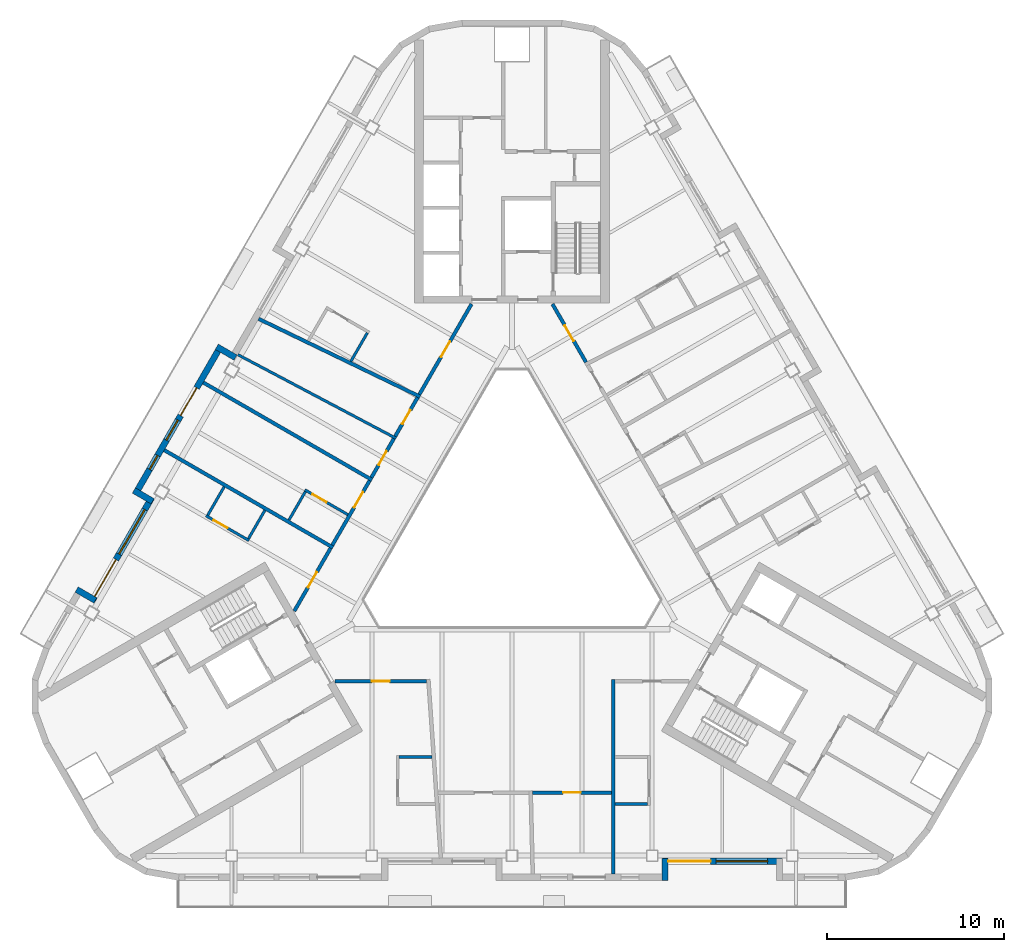
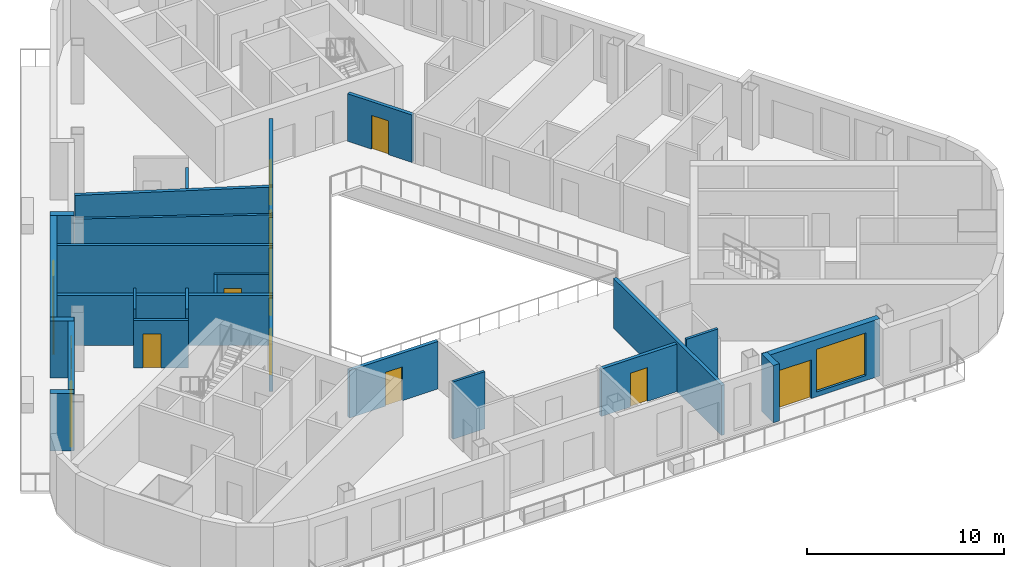
# One storey, part 4 of 14: 28 walls, 13 doors, 4 windows, 17 openings.
"""IFC4 building model written with IfcOpenShell, lengths in metres."""

from ifc_helpers import new_model, si_unit, direction, frame, frame_2d, origin, place, context, subcontext, project, spatial, rectangle, extrude, material, layer, layer_set, type_object, element, fill, save


model = new_model("IFC4")

# Units and contexts
model_context = context("Model", 3, precision=1e-05, world=origin(), true_north=direction((0.0, 1.0)))
body_context = subcontext(model_context, "Body", "Model", "MODEL_VIEW")
ifc_project = project(units=[si_unit("LENGTHUNIT", "METRE"), si_unit("AREAUNIT", "SQUARE_METRE"), si_unit("VOLUMEUNIT", "CUBIC_METRE"), si_unit("PLANEANGLEUNIT", "RADIAN"), si_unit("MASSUNIT", "GRAM", prefix="KILO")], contexts=[model_context])

# Site, building, storey
site_placement = place(None, origin())
site = spatial("IfcSite", under=ifc_project, at=site_placement, CompositionType="ELEMENT")
building_placement = place(site_placement, origin())
building = spatial("IfcBuilding", under=site, at=building_placement, Name="Apuvela Tower Hotel", CompositionType="ELEMENT")
storey_placement = place(building_placement, frame((0.0, 0.0, 250.39990234375)))
storey = spatial("IfcBuildingStorey", under=building, at=storey_placement, Name="L61", CompositionType="ELEMENT", Elevation=250.39990234375)

# Wall
ifc_material_1 = material(Name="Concrete C40/50, dark pigmented precast panel", Category="concrete")
ifc_layer_1 = layer(ifc_material_1, 0.35009765625)
ifc_layer_set_1 = layer_set([ifc_layer_1], Name="ENV-WALL-350")
wall_type_1 = type_object("IfcWallType", Name="ENV-WALL-350", PredefinedType="SOLIDWALL", material=ifc_layer_set_1)
wall_1_placement = place(storey_placement, frame((-15.580810546875, 9.8330078125, 0.0), z_axis=(0.0, 0.0, 1.0), x_axis=(-0.866055662726, 0.499947586314, 0.0)))
element("IfcWall", 1, at=wall_1_placement, inside=storey, type_object=wall_type_1, Name="External wall L61-04", PredefinedType="SOLIDWALL", context=body_context, shape_type="SweptSolid", body=[
    extrude(rectangle(XDim=1.220458984375, YDim=0.35009765625, at=frame_2d((0.6103515625, 0.0))), origin(), (0.0, 0.0, 1.0), 3.550048828125),
])

# Wall, openings, door, windows
wall_2_placement = place(storey_placement, frame((-16.3984375, 10.507080078125, 0.0), z_axis=(0.0, 0.0, 1.0), x_axis=(-0.499999142773, -0.866025898704, 0.0)))
wall_2 = element("IfcWall", 2, at=wall_2_placement, inside=storey, type_object=wall_type_1, Name="External wall L61-05", PredefinedType="SOLIDWALL", context=body_context, shape_type="SweptSolid", body=[
    extrude(rectangle(XDim=9.7001953125, YDim=0.35009765625, at=frame_2d((4.85009765625, 0.0))), origin(), (0.0, 0.0, 1.0), 3.550048828125),
])
opening_1_placement = place(wall_2_placement, frame((2.75048828125, 0.0, 0.0)))
opening_1 = element("IfcOpeningElement", 3, at=opening_1_placement, cuts=wall_2, Name="Opening BD18", PredefinedType="OPENING", context=body_context, shape_type="SweptSolid", body=[
    extrude(rectangle(XDim=1.800048828125, YDim=2.39990234375, at=frame_2d((0.89990234375, 1.199951171875))), frame((0.0, 0.18505859375, 0.0), z_axis=(0.0, -1.0, 0.0), x_axis=(1.0, 0.0, 0.0)), (0.0, 0.0, 1.0), 0.3701171875),
])
opening_2_placement = place(wall_2_placement, frame((4.850341796875, 0.0, 0.300048828125)))
opening_2 = element("IfcOpeningElement", 4, at=opening_2_placement, cuts=wall_2, Name="Opening WN13", PredefinedType="OPENING", context=body_context, shape_type="SweptSolid", body=[
    extrude(rectangle(XDim=1.300048828125, YDim=2.64990234375, at=frame_2d((0.64990234375, 1.324951171875))), frame((0.0, 0.18505859375, 0.0), z_axis=(0.0, -1.0, 0.0), x_axis=(1.0, 0.0, 0.0)), (0.0, 0.0, 1.0), 0.3701171875),
])
opening_3_placement = place(wall_2_placement, frame((7.14990234375, 0.0, 0.300048828125)))
opening_3 = element("IfcOpeningElement", 5, at=opening_3_placement, cuts=wall_2, Name="Opening WN09", PredefinedType="OPENING", context=body_context, shape_type="SweptSolid", body=[
    extrude(rectangle(XDim=0.89990234375, YDim=2.64990234375, at=frame_2d((0.449951171875, 1.324951171875))), frame((0.0, 0.18505859375, 0.0), z_axis=(0.0, -1.0, 0.0), x_axis=(1.0, 0.0, 0.0)), (0.0, 0.0, 1.0), 0.3701171875),
])
ifc_material_2 = material(Name="Aluminium 6063-T6, dark bronze anodised frame with dark tinted laminated glass", Category="aluminium")
door_type_1 = type_object("IfcDoorType", Name="ENV-DOOR-BALCONY-1800x2400", OperationType="SLIDING_TO_LEFT", PredefinedType="DOOR", material=ifc_material_2)
door_1_placement = place(opening_1_placement, frame((1.800048828125, 0.0, 0.0), z_axis=(0.0, 0.0, 1.0), x_axis=(-1.0, 0.0, 0.0)))
door_1 = element("IfcDoor", 6, at=door_1_placement, inside=storey, type_object=door_type_1, Name="Balcony door BD18", OperationType="SLIDING_TO_LEFT", OverallHeight=2.39990234375, OverallWidth=1.800048828125, PredefinedType="DOOR", context=body_context, shape_type="SweptSolid", body=[
    extrude(rectangle(XDim=1.800048828125, YDim=2.39990234375, at=frame_2d((0.89990234375, 1.199951171875))), frame((0.0, 0.02490234375, 0.0), z_axis=(0.0, -1.0, 0.0), x_axis=(1.0, 0.0, 0.0)), (0.0, 0.0, 1.0), 0.050048828125),
])
fill(opening_1, door_1)
ifc_material_3 = material(Name="Glass, dark tinted laminated insulated glazing unit", Category="glass")
window_type_1 = type_object("IfcWindowType", Name="ENV-WIN-1300x2650", PartitioningType="SINGLE_PANEL", PredefinedType="WINDOW", material=ifc_material_3)
window_1_placement = place(opening_2_placement, origin())
window_1 = element("IfcWindow", 7, at=window_1_placement, inside=storey, type_object=window_type_1, Name="Window WN13", OverallHeight=2.64990234375, OverallWidth=1.300048828125, PartitioningType="SINGLE_PANEL", PredefinedType="WINDOW", context=body_context, shape_type="SweptSolid", body=[
    extrude(rectangle(XDim=1.300048828125, YDim=2.64990234375, at=frame_2d((0.64990234375, 1.324951171875))), frame((0.0, 0.030029296875, 0.0), z_axis=(0.0, -1.0, 0.0), x_axis=(1.0, 0.0, 0.0)), (0.0, 0.0, 1.0), 0.06005859375),
])
fill(opening_2, window_1)
window_type_2 = type_object("IfcWindowType", Name="ENV-WIN-900x2650", PartitioningType="SINGLE_PANEL", PredefinedType="WINDOW", material=ifc_material_3)
window_2_placement = place(opening_3_placement, origin())
window_2 = element("IfcWindow", 8, at=window_2_placement, inside=storey, type_object=window_type_2, Name="Window WN09", OverallHeight=2.64990234375, OverallWidth=0.89990234375, PartitioningType="SINGLE_PANEL", PredefinedType="WINDOW", context=body_context, shape_type="SweptSolid", body=[
    extrude(rectangle(XDim=0.89990234375, YDim=2.64990234375, at=frame_2d((0.449951171875, 1.324951171875))), frame((0.0, 0.030029296875, 0.0), z_axis=(0.0, -1.0, 0.0), x_axis=(1.0, 0.0, 0.0)), (0.0, 0.0, 1.0), 0.06005859375),
])
fill(opening_3, window_2)

# Wall
wall_3_placement = place(storey_placement, frame((-21.3125, 2.345703125, 0.0), z_axis=(0.0, 0.0, 1.0), x_axis=(0.866005645448, -0.500034220881, 0.0)))
element("IfcWall", 9, at=wall_3_placement, inside=storey, type_object=wall_type_1, Name="External wall L61-06", PredefinedType="SOLIDWALL", context=body_context, shape_type="SweptSolid", body=[
    extrude(rectangle(XDim=1.22021484375, YDim=0.35009765625, at=frame_2d((0.610107421875, 0.0))), origin(), (0.0, 0.0, 1.0), 3.550048828125),
])

# Wall, openings, door, window
wall_4_placement = place(storey_placement, frame((-20.30908203125, 1.93359375, 0.0), z_axis=(0.0, 0.0, 1.0), x_axis=(-0.499992114976, -0.866029956157, 0.0)))
wall_4 = element("IfcWall", 10, at=wall_4_placement, inside=storey, type_object=wall_type_1, Name="External wall L61-07", PredefinedType="SOLIDWALL", context=body_context, shape_type="SweptSolid", body=[
    extrude(rectangle(XDim=6.73974609375, YDim=0.35009765625, at=frame_2d((3.369873046875, 0.0))), origin(), (0.0, 0.0, 1.0), 3.550048828125),
])
opening_4_placement = place(wall_4_placement, frame((4.02001953125, 0.0, 0.0)))
opening_4 = element("IfcOpeningElement", 11, at=opening_4_placement, cuts=wall_4, Name="Opening BD24", PredefinedType="OPENING", context=body_context, shape_type="SweptSolid", body=[
    extrude(rectangle(XDim=2.39990234375, YDim=2.39990234375, at=frame_2d((1.199951171875, 1.199951171875))), frame((0.0, 0.18505859375, 0.0), z_axis=(0.0, -1.0, 0.0), x_axis=(1.0, 0.0, 0.0)), (0.0, 0.0, 1.0), 0.3701171875),
])
opening_5_placement = place(wall_4_placement, frame((0.77001953125, 0.0, 0.300048828125)))
opening_5 = element("IfcOpeningElement", 12, at=opening_5_placement, cuts=wall_4, Name="Opening WN29", PredefinedType="OPENING", context=body_context, shape_type="SweptSolid", body=[
    extrude(rectangle(XDim=2.89990234375, YDim=2.64990234375, at=frame_2d((1.449951171875, 1.324951171875))), frame((0.0, 0.18505859375, 0.0), z_axis=(0.0, -1.0, 0.0), x_axis=(1.0, 0.0, 0.0)), (0.0, 0.0, 1.0), 0.3701171875),
])
door_type_2 = type_object("IfcDoorType", Name="ENV-DOOR-BALCONY-2400x2400", OperationType="SLIDING_TO_LEFT", PredefinedType="DOOR", material=ifc_material_2)
door_2_placement = place(opening_4_placement, frame((2.39990234375, 0.0, 0.0), z_axis=(0.0, 0.0, 1.0), x_axis=(-1.0, 0.0, 0.0)))
door_2 = element("IfcDoor", 13, at=door_2_placement, inside=storey, type_object=door_type_2, Name="Balcony door BD24", OperationType="SLIDING_TO_LEFT", OverallHeight=2.39990234375, OverallWidth=2.39990234375, PredefinedType="DOOR", context=body_context, shape_type="SweptSolid", body=[
    extrude(rectangle(XDim=2.39990234375, YDim=2.39990234375, at=frame_2d((1.199951171875, 1.199951171875))), frame((0.0, 0.02490234375, 0.0), z_axis=(0.0, -1.0, 0.0), x_axis=(1.0, 0.0, 0.0)), (0.0, 0.0, 1.0), 0.050048828125),
])
fill(opening_4, door_2)
window_type_3 = type_object("IfcWindowType", Name="ENV-WIN-2900x2650", PartitioningType="SINGLE_PANEL", PredefinedType="WINDOW", material=ifc_material_3)
window_3_placement = place(opening_5_placement, origin())
window_3 = element("IfcWindow", 14, at=window_3_placement, inside=storey, type_object=window_type_3, Name="Window WN29", OverallHeight=2.64990234375, OverallWidth=2.89990234375, PartitioningType="SINGLE_PANEL", PredefinedType="WINDOW", context=body_context, shape_type="SweptSolid", body=[
    extrude(rectangle(XDim=2.89990234375, YDim=2.64990234375, at=frame_2d((1.449951171875, 1.324951171875))), frame((0.0, 0.030029296875, 0.0), z_axis=(0.0, -1.0, 0.0), x_axis=(1.0, 0.0, 0.0)), (0.0, 0.0, 1.0), 0.06005859375),
])
fill(opening_5, window_3)

# Walls
for number, where, z_axis, x_axis, name in (
    (15, (-23.48095703125, -3.85009765625, 0.0), (0.0, 0.0, 1.0), (-0.866092288191, 0.499884134912, 0.0), "External wall L61-08"),
    (16, (8.625, -19.6298828125, 0.0), (0.0, 0.0, 1.0), (0.0, 1.0, 0.0), "External wall L61-22"),
):
    element("IfcWall", number, at=place(storey_placement, frame(where, z_axis=z_axis, x_axis=x_axis)), inside=storey, type_object=wall_type_1, Name=name, PredefinedType="SOLIDWALL", context=body_context, shape_type="SweptSolid", body=[
        extrude(rectangle(XDim=1.219970703125, YDim=0.35009765625, at=frame_2d((0.60986328125, 0.0))), origin(), (0.0, 0.0, 1.0), 3.550048828125),
    ])

# Wall, openings, door, window
wall_5_placement = place(storey_placement, frame((8.47998046875, -18.554931640625, 0.0), z_axis=(0.0, 0.0, 1.0), x_axis=(1.0, 0.0, 0.0)))
wall_5 = element("IfcWall", 17, at=wall_5_placement, inside=storey, type_object=wall_type_1, Name="External wall L61-23", PredefinedType="SOLIDWALL", context=body_context, shape_type="SweptSolid", body=[
    extrude(rectangle(XDim=6.739990234375, YDim=0.35009765625, at=frame_2d((3.3701171875, 0.0))), origin(), (0.0, 0.0, 1.0), 3.550048828125),
])
opening_6_placement = place(wall_5_placement, frame((0.3203125, 0.0, 0.0)))
opening_6 = element("IfcOpeningElement", 18, at=opening_6_placement, cuts=wall_5, Name="Opening BD24", PredefinedType="OPENING", context=body_context, shape_type="SweptSolid", body=[
    extrude(rectangle(XDim=2.39990234375, YDim=2.39990234375, at=frame_2d((1.199951171875, 1.199951171875))), frame((0.0, 0.18505859375, 0.0), z_axis=(0.0, -1.0, 0.0), x_axis=(1.0, 0.0, 0.0)), (0.0, 0.0, 1.0), 0.3701171875),
])
opening_7_placement = place(wall_5_placement, frame((3.020263671875, 0.0, 0.300048828125)))
opening_7 = element("IfcOpeningElement", 19, at=opening_7_placement, cuts=wall_5, Name="Opening WN29", PredefinedType="OPENING", context=body_context, shape_type="SweptSolid", body=[
    extrude(rectangle(XDim=2.89990234375, YDim=2.64990234375, at=frame_2d((1.449951171875, 1.324951171875))), frame((0.0, 0.18505859375, 0.0), z_axis=(0.0, -1.0, 0.0), x_axis=(1.0, 0.0, 0.0)), (0.0, 0.0, 1.0), 0.3701171875),
])
door_3_placement = place(opening_6_placement, frame((2.39990234375, 0.0, 0.0), z_axis=(0.0, 0.0, 1.0), x_axis=(-1.0, 0.0, 0.0)))
door_3 = element("IfcDoor", 20, at=door_3_placement, inside=storey, type_object=door_type_2, Name="Balcony door BD24", OperationType="SLIDING_TO_LEFT", OverallHeight=2.39990234375, OverallWidth=2.39990234375, PredefinedType="DOOR", context=body_context, shape_type="SweptSolid", body=[
    extrude(rectangle(XDim=2.39990234375, YDim=2.39990234375, at=frame_2d((1.199951171875, 1.199951171875))), frame((0.0, 0.02490234375, 0.0), z_axis=(0.0, -1.0, 0.0), x_axis=(1.0, 0.0, 0.0)), (0.0, 0.0, 1.0), 0.050048828125),
])
fill(opening_6, door_3)
window_4_placement = place(opening_7_placement, origin())
window_4 = element("IfcWindow", 21, at=window_4_placement, inside=storey, type_object=window_type_3, Name="Window WN29", OverallHeight=2.64990234375, OverallWidth=2.89990234375, PartitioningType="SINGLE_PANEL", PredefinedType="WINDOW", context=body_context, shape_type="SweptSolid", body=[
    extrude(rectangle(XDim=2.89990234375, YDim=2.64990234375, at=frame_2d((1.449951171875, 1.324951171875))), frame((0.0, 0.030029296875, 0.0), z_axis=(0.0, -1.0, 0.0), x_axis=(1.0, 0.0, 0.0)), (0.0, 0.0, 1.0), 0.06005859375),
])
fill(opening_7, window_4)

# Walls
ifc_material_4 = material(Name="Gypsum board partition on twin steel stud", Category="steel")
ifc_layer_2 = layer(ifc_material_4, 0.199951171875)
ifc_layer_set_2 = layer_set([ifc_layer_2], Name="GST-PW1")
wall_type_2 = type_object("IfcWallType", Name="GST-PW1", PredefinedType="PARTITIONING", material=ifc_layer_set_2)
wall_6_placement = place(storey_placement, frame((5.699951171875, -19.280029296875, 0.0), z_axis=(0.0, 0.0, 1.0), x_axis=(0.0, 1.0, 0.0)))
element("IfcWall", 22, at=wall_6_placement, inside=storey, type_object=wall_type_2, Name="L61 partition 03", PredefinedType="PARTITIONING", context=body_context, shape_type="SweptSolid", body=[
    extrude(rectangle(XDim=10.97998046875, YDim=0.199951171875, at=frame_2d((5.489990234375, 0.0))), origin(), (0.0, 0.0, 1.0), 3.10009765625),
])
wall_7_placement = place(storey_placement, frame((-14.2841796875, 12.01904296875, 0.0), z_axis=(0.0, 0.0, 1.0), x_axis=(0.90065661155, -0.434531550144, 0.0)))
element("IfcWall", 23, at=wall_7_placement, inside=storey, type_object=wall_type_2, Name="L61 partition 08", PredefinedType="PARTITIONING", context=body_context, shape_type="SweptSolid", body=[
    extrude(rectangle(XDim=10.107666015625, YDim=0.199951171875, at=frame_2d((5.0537109375, 0.0))), origin(), (0.0, 0.0, 1.0), 2.9501953125),
])
for number, where, z_axis, x_axis, name in (
    (24, (-17.39697265625, 8.427490234375, 0.0), (0.0, 0.0, 1.0), (0.866027479907, -0.499996404033, 0.0), "L61 partition 09"),
    (25, (-19.596923828125, 4.6171875, 0.0), (0.0, 0.0, 1.0), (0.866027479907, -0.499996404033, 0.0), "L61 partition 10"),
):
    element("IfcWall", number, at=place(storey_placement, frame(where, z_axis=z_axis, x_axis=x_axis)), inside=storey, type_object=wall_type_2, Name=name, PredefinedType="PARTITIONING", context=body_context, shape_type="SweptSolid", body=[
        extrude(rectangle(XDim=10.97998046875, YDim=0.199951171875, at=frame_2d((5.489990234375, 0.0))), origin(), (0.0, 0.0, 1.0), 3.10009765625),
    ])

# Wall, opening, door
ifc_material_5 = material(Name="Gypsum board corridor wall on twin steel stud, acoustic", Category="steel")
ifc_layer_3 = layer(ifc_material_5, 0.199951171875)
ifc_layer_set_3 = layer_set([ifc_layer_3], Name="GST-PW2")
wall_type_3 = type_object("IfcWallType", Name="GST-PW2", PredefinedType="PARTITIONING", material=ifc_layer_set_3)
wall_8_placement = place(storey_placement, frame((-4.80712890625, -8.39990234375, 0.0), z_axis=(0.0, 0.0, 1.0), x_axis=(-1.0, 0.0, 0.0)))
wall_8 = element("IfcWall", 26, at=wall_8_placement, inside=storey, type_object=wall_type_3, Name="L61 partition 11", PredefinedType="PARTITIONING", context=body_context, shape_type="SweptSolid", body=[
    extrude(rectangle(XDim=5.18115234375, YDim=0.199951171875, at=frame_2d((2.590576171875, 0.0))), origin(), (0.0, 0.0, 1.0), 2.9501953125),
])
opening_8_placement = place(wall_8_placement, frame((2.090576171875, 0.0, 0.0)))
opening_8 = element("IfcOpeningElement", 27, at=opening_8_placement, cuts=wall_8, Name="Opening GD23-02", PredefinedType="OPENING", context=body_context, shape_type="SweptSolid", body=[
    extrude(rectangle(XDim=1.0, YDim=2.10009765625, at=frame_2d((0.5, 1.050048828125))), frame((0.0, 0.10986328125, 0.0), z_axis=(0.0, -1.0, 0.0), x_axis=(1.0, 0.0, 0.0)), (0.0, 0.0, 1.0), 0.219970703125),
])
ifc_material_6 = material(Name="Timber door leaf in steel frame", Category="steel")
door_type_3 = type_object("IfcDoorType", Name="GST-D1", OperationType="NOTDEFINED", PredefinedType="DOOR", material=ifc_material_6)
door_4_placement = place(opening_8_placement, origin())
door_4 = element("IfcDoor", 28, at=door_4_placement, inside=storey, type_object=door_type_3, Name="Door L61-02", OperationType="SINGLE_SWING_LEFT", OverallHeight=2.10009765625, OverallWidth=1.0, PredefinedType="DOOR", context=body_context, shape_type="SweptSolid", body=[
    extrude(rectangle(XDim=1.0, YDim=2.10009765625, at=frame_2d((0.5, 1.050048828125))), frame((0.0, 0.02490234375, 0.0), z_axis=(0.0, -1.0, 0.0), x_axis=(1.0, 0.0, 0.0)), (0.0, 0.0, 1.0), 0.050048828125),
])
fill(opening_8, door_4)

wall_9_placement = place(storey_placement, frame((5.60009765625, -14.679931640625, 0.0), z_axis=(0.0, 0.0, 1.0), x_axis=(-1.0, 0.0, 0.0)))
wall_9 = element("IfcWall", 29, at=wall_9_placement, inside=storey, type_object=wall_type_3, Name="L61 partition 16", PredefinedType="PARTITIONING", context=body_context, shape_type="SweptSolid", body=[
    extrude(rectangle(XDim=4.4453125, YDim=0.199951171875, at=frame_2d((2.22265625, 0.0))), origin(), (0.0, 0.0, 1.0), 2.9501953125),
])
opening_9_placement = place(wall_9_placement, frame((1.72265625, 0.0, 0.0)))
opening_9 = element("IfcOpeningElement", 30, at=opening_9_placement, cuts=wall_9, Name="Opening GD23-04", PredefinedType="OPENING", context=body_context, shape_type="SweptSolid", body=[
    extrude(rectangle(XDim=1.0, YDim=2.10009765625, at=frame_2d((0.5, 1.050048828125))), frame((0.0, 0.10986328125, 0.0), z_axis=(0.0, -1.0, 0.0), x_axis=(1.0, 0.0, 0.0)), (0.0, 0.0, 1.0), 0.219970703125),
])
door_5_placement = place(opening_9_placement, origin())
door_5 = element("IfcDoor", 31, at=door_5_placement, inside=storey, type_object=door_type_3, Name="Door L61-04", OperationType="SINGLE_SWING_LEFT", OverallHeight=2.10009765625, OverallWidth=1.0, PredefinedType="DOOR", context=body_context, shape_type="SweptSolid", body=[
    extrude(rectangle(XDim=1.0, YDim=2.10009765625, at=frame_2d((0.5, 1.050048828125))), frame((0.0, 0.02490234375, 0.0), z_axis=(0.0, -1.0, 0.0), x_axis=(1.0, 0.0, 0.0)), (0.0, 0.0, 1.0), 0.050048828125),
])
fill(opening_9, door_5)

wall_10_placement = place(storey_placement, frame((2.280517578125, 12.85009765625, 0.0), z_axis=(0.0, 0.0, 1.0), x_axis=(0.499985062256, -0.866034027923, 0.0)))
wall_10 = element("IfcWall", 32, at=wall_10_placement, inside=storey, type_object=wall_type_3, Name="L61 partition 34", PredefinedType="PARTITIONING", context=body_context, shape_type="SweptSolid", body=[
    extrude(rectangle(XDim=3.7822265625, YDim=0.199951171875, at=frame_2d((1.89111328125, 0.0))), origin(), (0.0, 0.0, 1.0), 2.9501953125),
])
opening_10_placement = place(wall_10_placement, frame((1.39111328125, 0.0, 0.0)))
opening_10 = element("IfcOpeningElement", 33, at=opening_10_placement, cuts=wall_10, Name="Opening GD23-16", PredefinedType="OPENING", context=body_context, shape_type="SweptSolid", body=[
    extrude(rectangle(XDim=1.0, YDim=2.10009765625, at=frame_2d((0.5, 1.050048828125))), frame((0.0, 0.10986328125, 0.0), z_axis=(0.0, -1.0, 0.0), x_axis=(1.0, 0.0, 0.0)), (0.0, 0.0, 1.0), 0.219970703125),
])
door_6_placement = place(opening_10_placement, origin())
door_6 = element("IfcDoor", 34, at=door_6_placement, inside=storey, type_object=door_type_3, Name="Door L61-16", OperationType="SINGLE_SWING_RIGHT", OverallHeight=2.10009765625, OverallWidth=1.0, PredefinedType="DOOR", context=body_context, shape_type="SweptSolid", body=[
    extrude(rectangle(XDim=1.0, YDim=2.10009765625, at=frame_2d((0.5, 1.050048828125))), frame((0.0, 0.02490234375, 0.0), z_axis=(0.0, -1.0, 0.0), x_axis=(1.0, 0.0, 0.0)), (0.0, 0.0, 1.0), 0.050048828125),
])
fill(opening_10, door_6)

wall_11_placement = place(storey_placement, frame((-5.220703125, 7.75732421875, 0.0), z_axis=(0.0, 0.0, 1.0), x_axis=(0.49998360248, 0.86603487069, 0.0)))
wall_11 = element("IfcWall", 35, at=wall_11_placement, inside=storey, type_object=wall_type_3, Name="L61 partition 38", PredefinedType="PARTITIONING", context=body_context, shape_type="SweptSolid", body=[
    extrude(rectangle(XDim=5.880615234375, YDim=0.199951171875, at=frame_2d((2.9404296875, 0.0))), origin(), (0.0, 0.0, 1.0), 2.9501953125),
])
opening_11_placement = place(wall_11_placement, frame((2.440185546875, 0.0, 0.0)))
opening_11 = element("IfcOpeningElement", 36, at=opening_11_placement, cuts=wall_11, Name="Opening GD23-18", PredefinedType="OPENING", context=body_context, shape_type="SweptSolid", body=[
    extrude(rectangle(XDim=1.0, YDim=2.10009765625, at=frame_2d((0.5, 1.050048828125))), frame((0.0, 0.10986328125, 0.0), z_axis=(0.0, -1.0, 0.0), x_axis=(1.0, 0.0, 0.0)), (0.0, 0.0, 1.0), 0.219970703125),
])
door_7_placement = place(opening_11_placement, origin())
door_7 = element("IfcDoor", 37, at=door_7_placement, inside=storey, type_object=door_type_3, Name="Door L61-18", OperationType="SINGLE_SWING_LEFT", OverallHeight=2.10009765625, OverallWidth=1.0, PredefinedType="DOOR", context=body_context, shape_type="SweptSolid", body=[
    extrude(rectangle(XDim=1.0, YDim=2.10009765625, at=frame_2d((0.5, 1.050048828125))), frame((0.0, 0.02490234375, 0.0), z_axis=(0.0, -1.0, 0.0), x_axis=(1.0, 0.0, 0.0)), (0.0, 0.0, 1.0), 0.050048828125),
])
fill(opening_11, door_7)

wall_12_placement = place(storey_placement, frame((-6.585205078125, 5.39404296875, 0.0), z_axis=(0.0, 0.0, 1.0), x_axis=(0.499981564561, 0.866036047228, 0.0)))
wall_12 = element("IfcWall", 38, at=wall_12_placement, inside=storey, type_object=wall_type_3, Name="L61 partition 43", PredefinedType="PARTITIONING", context=body_context, shape_type="SweptSolid", body=[
    extrude(rectangle(XDim=2.5283203125, YDim=0.199951171875, at=frame_2d((1.26416015625, 0.0))), origin(), (0.0, 0.0, 1.0), 2.9501953125),
])
opening_12_placement = place(wall_12_placement, frame((0.814208984375, 0.0, 0.0)))
opening_12 = element("IfcOpeningElement", 39, at=opening_12_placement, cuts=wall_12, Name="Opening GD23-19", PredefinedType="OPENING", context=body_context, shape_type="SweptSolid", body=[
    extrude(rectangle(XDim=0.89990234375, YDim=2.10009765625, at=frame_2d((0.449951171875, 1.050048828125))), frame((0.0, 0.10986328125, 0.0), z_axis=(0.0, -1.0, 0.0), x_axis=(1.0, 0.0, 0.0)), (0.0, 0.0, 1.0), 0.219970703125),
])
door_type_4 = type_object("IfcDoorType", Name="GST-D2", OperationType="NOTDEFINED", PredefinedType="DOOR", material=ifc_material_6)
door_8_placement = place(opening_12_placement, origin())
door_8 = element("IfcDoor", 40, at=door_8_placement, inside=storey, type_object=door_type_4, Name="Door L61-19", OperationType="SINGLE_SWING_LEFT", OverallHeight=2.10009765625, OverallWidth=0.89990234375, PredefinedType="DOOR", context=body_context, shape_type="SweptSolid", body=[
    extrude(rectangle(XDim=0.89990234375, YDim=2.10009765625, at=frame_2d((0.449951171875, 1.050048828125))), frame((0.0, 0.02490234375, 0.0), z_axis=(0.0, -1.0, 0.0), x_axis=(1.0, 0.0, 0.0)), (0.0, 0.0, 1.0), 0.050048828125),
])
fill(opening_12, door_8)

wall_13_placement = place(storey_placement, frame((-7.924560546875, 3.07421875, 0.0), z_axis=(0.0, 0.0, 1.0), x_axis=(0.499939757307, 0.866060182126, 0.0)))
wall_13 = element("IfcWall", 41, at=wall_13_placement, inside=storey, type_object=wall_type_3, Name="L61 partition 44", PredefinedType="PARTITIONING", context=body_context, shape_type="SweptSolid", body=[
    extrude(rectangle(XDim=2.528564453125, YDim=0.199951171875, at=frame_2d((1.26416015625, 0.0))), origin(), (0.0, 0.0, 1.0), 2.9501953125),
])
opening_13_placement = place(wall_13_placement, frame((0.814208984375, 0.0, 0.0)))
opening_13 = element("IfcOpeningElement", 42, at=opening_13_placement, cuts=wall_13, Name="Opening GD23-20", PredefinedType="OPENING", context=body_context, shape_type="SweptSolid", body=[
    extrude(rectangle(XDim=0.89990234375, YDim=2.10009765625, at=frame_2d((0.449951171875, 1.050048828125))), frame((0.0, 0.10986328125, 0.0), z_axis=(0.0, -1.0, 0.0), x_axis=(1.0, 0.0, 0.0)), (0.0, 0.0, 1.0), 0.219970703125),
])
door_9_placement = place(opening_13_placement, origin())
door_9 = element("IfcDoor", 43, at=door_9_placement, inside=storey, type_object=door_type_4, Name="Door L61-20", OperationType="SINGLE_SWING_RIGHT", OverallHeight=2.10009765625, OverallWidth=0.89990234375, PredefinedType="DOOR", context=body_context, shape_type="SweptSolid", body=[
    extrude(rectangle(XDim=0.89990234375, YDim=2.10009765625, at=frame_2d((0.449951171875, 1.050048828125))), frame((0.0, 0.02490234375, 0.0), z_axis=(0.0, -1.0, 0.0), x_axis=(1.0, 0.0, 0.0)), (0.0, 0.0, 1.0), 0.050048828125),
])
fill(opening_13, door_9)

wall_14_placement = place(storey_placement, frame((-10.12451171875, -0.736328125, 0.0), z_axis=(0.0, 0.0, 1.0), x_axis=(0.49998411664, 0.866034573852, 0.0)))
wall_14 = element("IfcWall", 44, at=wall_14_placement, inside=storey, type_object=wall_type_3, Name="L61 partition 45", PredefinedType="PARTITIONING", context=body_context, shape_type="SweptSolid", body=[
    extrude(rectangle(XDim=4.199951171875, YDim=0.199951171875, at=frame_2d((2.10009765625, 0.0))), origin(), (0.0, 0.0, 1.0), 2.9501953125),
])
opening_14_placement = place(wall_14_placement, frame((2.449951171875, 0.0, 0.0)))
opening_14 = element("IfcOpeningElement", 45, at=opening_14_placement, cuts=wall_14, Name="Opening GD23-22", PredefinedType="OPENING", context=body_context, shape_type="SweptSolid", body=[
    extrude(rectangle(XDim=1.0, YDim=2.10009765625, at=frame_2d((0.5, 1.050048828125))), frame((0.0, 0.10986328125, 0.0), z_axis=(0.0, -1.0, 0.0), x_axis=(1.0, 0.0, 0.0)), (0.0, 0.0, 1.0), 0.219970703125),
])
door_10_placement = place(opening_14_placement, origin())
door_10 = element("IfcDoor", 46, at=door_10_placement, inside=storey, type_object=door_type_3, Name="Door L61-22", OperationType="SINGLE_SWING_RIGHT", OverallHeight=2.10009765625, OverallWidth=1.0, PredefinedType="DOOR", context=body_context, shape_type="SweptSolid", body=[
    extrude(rectangle(XDim=1.0, YDim=2.10009765625, at=frame_2d((0.5, 1.050048828125))), frame((0.0, 0.02490234375, 0.0), z_axis=(0.0, -1.0, 0.0), x_axis=(1.0, 0.0, 0.0)), (0.0, 0.0, 1.0), 0.050048828125),
])
fill(opening_14, door_10)

wall_15_placement = place(storey_placement, frame((-12.268798828125, -4.449951171875, 0.0), z_axis=(0.0, 0.0, 1.0), x_axis=(0.500011931275, 0.86601851515, 0.0)))
wall_15 = element("IfcWall", 47, at=wall_15_placement, inside=storey, type_object=wall_type_3, Name="L61 partition 48", PredefinedType="PARTITIONING", context=body_context, shape_type="SweptSolid", body=[
    extrude(rectangle(XDim=4.08837890625, YDim=0.199951171875, at=frame_2d((2.044189453125, 0.0))), origin(), (0.0, 0.0, 1.0), 2.9501953125),
])
opening_15_placement = place(wall_15_placement, frame((1.544189453125, 0.0, 0.0)))
opening_15 = element("IfcOpeningElement", 48, at=opening_15_placement, cuts=wall_15, Name="Opening GD23-24", PredefinedType="OPENING", context=body_context, shape_type="SweptSolid", body=[
    extrude(rectangle(XDim=1.0, YDim=2.10009765625, at=frame_2d((0.5, 1.050048828125))), frame((0.0, 0.10986328125, 0.0), z_axis=(0.0, -1.0, 0.0), x_axis=(1.0, 0.0, 0.0)), (0.0, 0.0, 1.0), 0.219970703125),
])
door_11_placement = place(opening_15_placement, origin())
door_11 = element("IfcDoor", 49, at=door_11_placement, inside=storey, type_object=door_type_3, Name="Door L61-24", OperationType="SINGLE_SWING_RIGHT", OverallHeight=2.10009765625, OverallWidth=1.0, PredefinedType="DOOR", context=body_context, shape_type="SweptSolid", body=[
    extrude(rectangle(XDim=1.0, YDim=2.10009765625, at=frame_2d((0.5, 1.050048828125))), frame((0.0, 0.02490234375, 0.0), z_axis=(0.0, -1.0, 0.0), x_axis=(1.0, 0.0, 0.0)), (0.0, 0.0, 1.0), 0.050048828125),
])
fill(opening_15, door_11)

# Walls
ifc_material_7 = material(Name="Moisture-resistant gypsum board wet wall on steel stud", Category="steel")
ifc_layer_4 = layer(ifc_material_7, 0.14990234375)
ifc_layer_set_4 = layer_set([ifc_layer_4], Name="GST-PW3")
wall_type_4 = type_object("IfcWallType", Name="GST-PW3", PredefinedType="PARTITIONING", material=ifc_layer_set_4)
wall_16_placement = place(storey_placement, frame((-6.364990234375, -12.675048828125, 0.0), z_axis=(0.0, 0.0, 1.0), x_axis=(1.0, 0.0, 0.0)))
element("IfcWall", 50, at=wall_16_placement, inside=storey, type_object=wall_type_4, Name="L61 partition 14", PredefinedType="PARTITIONING", context=body_context, shape_type="SweptSolid", body=[
    extrude(rectangle(XDim=1.855224609375, YDim=0.14990234375, at=frame_2d((0.927734375, 0.0))), origin(), (0.0, 0.0, 1.0), 3.550048828125),
])
wall_17_placement = place(storey_placement, frame((5.800048828125, -15.324951171875, 0.0), z_axis=(0.0, 0.0, 1.0), x_axis=(1.0, 0.0, 0.0)))
element("IfcWall", 51, at=wall_17_placement, inside=storey, type_object=wall_type_4, Name="L61 partition 19", PredefinedType="PARTITIONING", context=body_context, shape_type="SweptSolid", body=[
    extrude(rectangle(XDim=1.849853515625, YDim=0.14990234375, at=frame_2d((0.9248046875, 0.0))), origin(), (0.0, 0.0, 1.0), 3.550048828125),
])
wall_18_placement = place(storey_placement, frame((-8.15380859375, 11.22705078125, 0.0), z_axis=(0.0, 0.0, 1.0), x_axis=(-0.500086883948, -0.865975235502, 0.0)))
element("IfcWall", 52, at=wall_18_placement, inside=storey, type_object=wall_type_4, Name="L61 partition 41", PredefinedType="PARTITIONING", context=body_context, shape_type="SweptSolid", body=[
    extrude(rectangle(XDim=1.855712890625, YDim=0.14990234375, at=frame_2d((0.927734375, 0.0))), origin(), (0.0, 0.0, 1.0), 2.9501953125),
])
wall_19_placement = place(storey_placement, frame((-15.45068359375, 9.998291015625, 0.0), z_axis=(0.0, 0.0, 1.0), x_axis=(0.883969770247, -0.467544057058, 0.0)))
element("IfcWall", 53, at=wall_19_placement, inside=storey, type_object=wall_type_4, Name="L61 partition 42", PredefinedType="PARTITIONING", context=body_context, shape_type="SweptSolid", body=[
    extrude(rectangle(XDim=10.0869140625, YDim=0.14990234375, at=frame_2d((5.04345703125, 0.0))), origin(), (0.0, 0.0, 1.0), 3.10009765625),
])

# Wall, opening, door
wall_20_placement = place(storey_placement, frame((-9.248779296875, 0.980712890625, 0.0), z_axis=(0.0, 0.0, 1.0), x_axis=(-0.865996816683, 0.500049511043, 0.0)))
wall_20 = element("IfcWall", 54, at=wall_20_placement, inside=storey, type_object=wall_type_4, Name="L61 partition 46", PredefinedType="PARTITIONING", context=body_context, shape_type="SweptSolid", body=[
    extrude(rectangle(XDim=2.800048828125, YDim=0.14990234375, at=frame_2d((1.39990234375, 0.0))), origin(), (0.0, 0.0, 1.0), 2.9501953125),
])
opening_16_placement = place(wall_20_placement, frame((1.39990234375, 0.0, 0.0)))
opening_16 = element("IfcOpeningElement", 55, at=opening_16_placement, cuts=wall_20, Name="Opening GD23-21", PredefinedType="OPENING", context=body_context, shape_type="SweptSolid", body=[
    extrude(rectangle(XDim=0.89990234375, YDim=2.10009765625, at=frame_2d((0.449951171875, 1.050048828125))), frame((0.0, 0.0849609375, 0.0), z_axis=(0.0, -1.0, 0.0), x_axis=(1.0, 0.0, 0.0)), (0.0, 0.0, 1.0), 0.169921875),
])
door_12_placement = place(opening_16_placement, origin())
door_12 = element("IfcDoor", 56, at=door_12_placement, inside=storey, type_object=door_type_4, Name="Door L61-21", OperationType="SINGLE_SWING_RIGHT", OverallHeight=2.10009765625, OverallWidth=0.89990234375, PredefinedType="DOOR", context=body_context, shape_type="SweptSolid", body=[
    extrude(rectangle(XDim=0.89990234375, YDim=2.10009765625, at=frame_2d((0.449951171875, 1.050048828125))), frame((0.0, 0.02490234375, 0.0), z_axis=(0.0, -1.0, 0.0), x_axis=(1.0, 0.0, 0.0)), (0.0, 0.0, 1.0), 0.050048828125),
])
fill(opening_16, door_12)

# Wall
wall_21_placement = place(storey_placement, frame((-11.64599609375, 2.2783203125, 0.0), z_axis=(0.0, 0.0, 1.0), x_axis=(-0.500042316284, -0.866000971088, 0.0)))
element("IfcWall", 57, at=wall_21_placement, inside=storey, type_object=wall_type_4, Name="L61 partition 47", PredefinedType="PARTITIONING", context=body_context, shape_type="SweptSolid", body=[
    extrude(rectangle(XDim=1.849853515625, YDim=0.14990234375, at=frame_2d((0.9248046875, 0.0))), origin(), (0.0, 0.0, 1.0), 2.9501953125),
])

# Wall, opening, door
wall_22_placement = place(storey_placement, frame((-17.249267578125, 0.92333984375, 0.0), z_axis=(0.0, 0.0, 1.0), x_axis=(0.866034573852, -0.49998411664, 0.0)))
wall_22 = element("IfcWall", 58, at=wall_22_placement, inside=storey, type_object=wall_type_4, Name="L61 partition 49", PredefinedType="PARTITIONING", context=body_context, shape_type="SweptSolid", body=[
    extrude(rectangle(XDim=2.7998046875, YDim=0.14990234375, at=frame_2d((1.39990234375, 0.0))), origin(), (0.0, 0.0, 1.0), 2.9501953125),
])
opening_17_placement = place(wall_22_placement, frame((0.5, 0.0, 0.0)))
opening_17 = element("IfcOpeningElement", 59, at=opening_17_placement, cuts=wall_22, Name="Opening GD23-23", PredefinedType="OPENING", context=body_context, shape_type="SweptSolid", body=[
    extrude(rectangle(XDim=0.89990234375, YDim=2.10009765625, at=frame_2d((0.449951171875, 1.050048828125))), frame((0.0, 0.0849609375, 0.0), z_axis=(0.0, -1.0, 0.0), x_axis=(1.0, 0.0, 0.0)), (0.0, 0.0, 1.0), 0.169921875),
])
door_13_placement = place(opening_17_placement, origin())
door_13 = element("IfcDoor", 60, at=door_13_placement, inside=storey, type_object=door_type_4, Name="Door L61-23", OperationType="SINGLE_SWING_LEFT", OverallHeight=2.10009765625, OverallWidth=0.89990234375, PredefinedType="DOOR", context=body_context, shape_type="SweptSolid", body=[
    extrude(rectangle(XDim=0.89990234375, YDim=2.10009765625, at=frame_2d((0.449951171875, 1.050048828125))), frame((0.0, 0.02490234375, 0.0), z_axis=(0.0, -1.0, 0.0), x_axis=(1.0, 0.0, 0.0)), (0.0, 0.0, 1.0), 0.050048828125),
])
fill(opening_17, door_13)

# Walls
for number, where, z_axis, x_axis, name in (
    (61, (-16.2216796875, 2.552978515625, 0.0), (0.0, 0.0, 1.0), (-0.499985172903, -0.866033964044, 0.0), "L61 partition 50"),
    (62, (-13.927001953125, 1.22802734375, 0.0), (0.0, 0.0, 1.0), (-0.499886193382, -0.866091100096, 0.0), "L61 partition 51"),
):
    element("IfcWall", number, at=place(storey_placement, frame(where, z_axis=z_axis, x_axis=x_axis)), inside=storey, type_object=wall_type_4, Name=name, PredefinedType="PARTITIONING", context=body_context, shape_type="SweptSolid", body=[
        extrude(rectangle(XDim=1.85009765625, YDim=0.14990234375, at=frame_2d((0.925048828125, 0.0))), origin(), (0.0, 0.0, 1.0), 3.550048828125),
    ])

save(model, "model.ifc")
